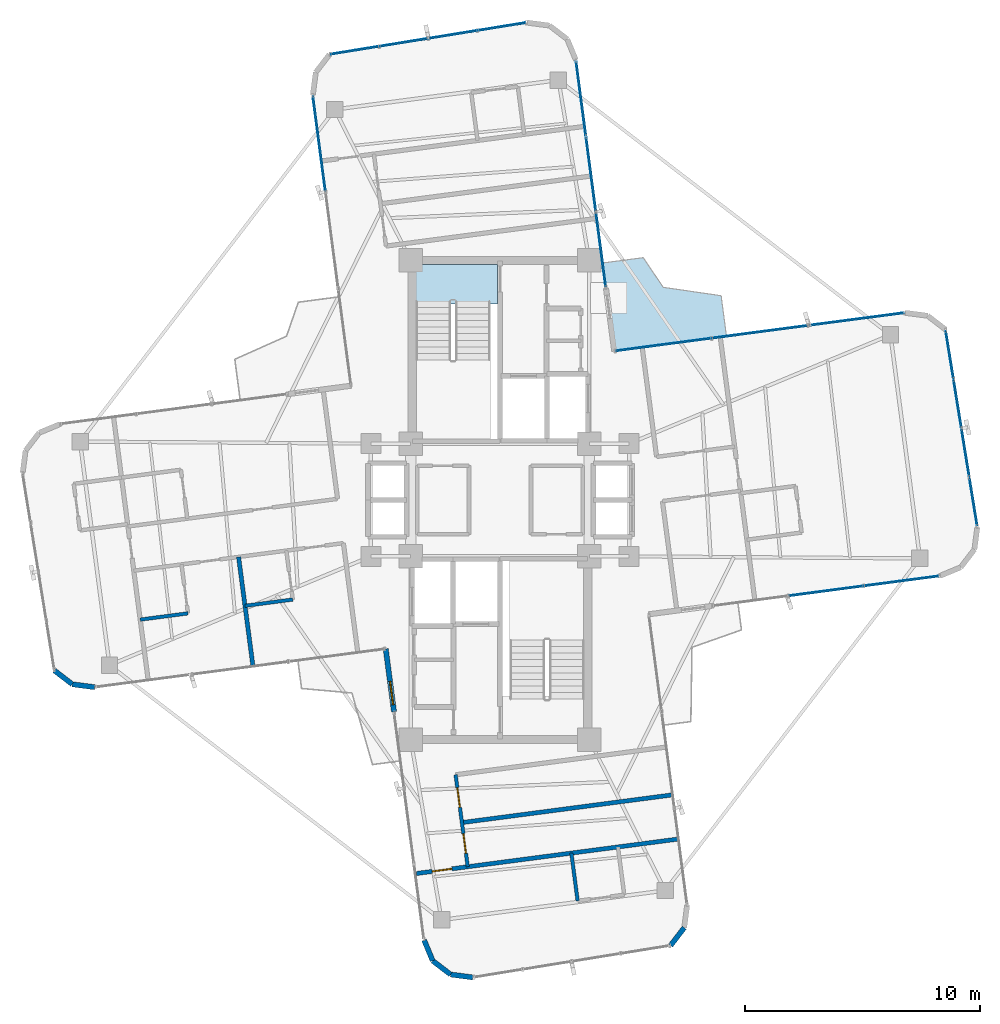
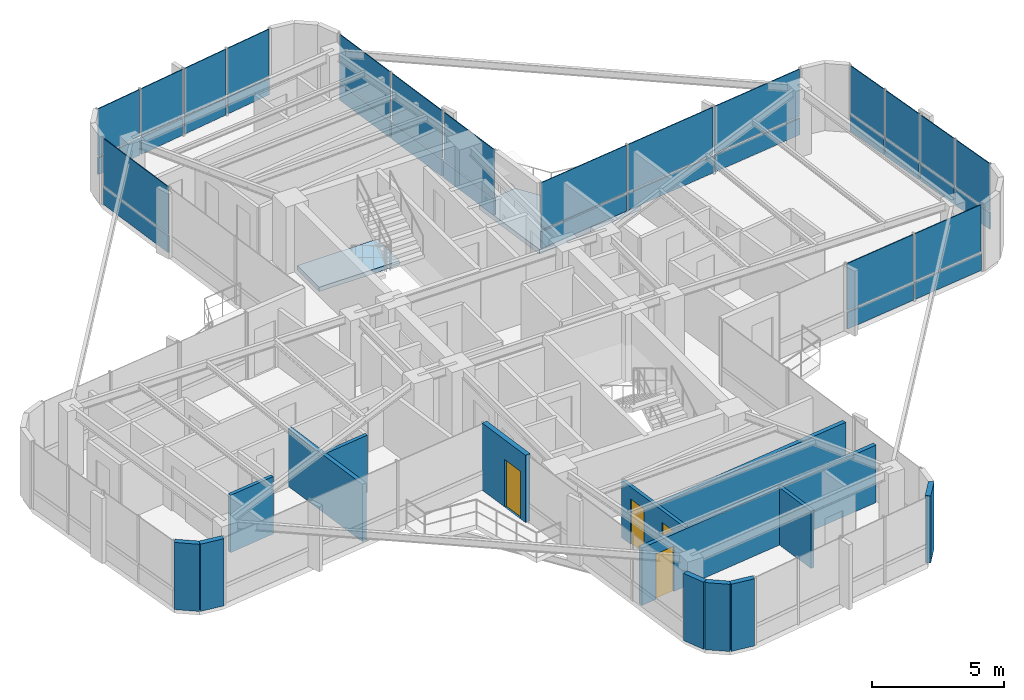
# One storey, part 17 of 21: 34 plates, 14 walls, 4 doors, 2 slabs, 4 openings, 6 elements without a shape of their own.
"""IFC4 building model written with IfcOpenShell, lengths in metres."""

from ifc_helpers import new_model, si_unit, direction, frame, frame_2d, origin, origin_2d, place, context, subcontext, project, spatial, polyline, rectangle, outline, extrude, source, transform, mapped, material, layer, layer_set, type_object, element, fill, aggregate, save


model = new_model("IFC4")

# Units and contexts
model_context = context("Model", 3, precision=1e-05, world=origin(), true_north=direction((0.0, 1.0)))
body_context = subcontext(model_context, "Body", "Model", "MODEL_VIEW")
ifc_project = project(units=[si_unit("LENGTHUNIT", "METRE"), si_unit("AREAUNIT", "SQUARE_METRE"), si_unit("VOLUMEUNIT", "CUBIC_METRE"), si_unit("PLANEANGLEUNIT", "RADIAN"), si_unit("MASSUNIT", "GRAM", prefix="KILO")], contexts=[model_context])

# Site, building, storey
site_placement = place(None, origin())
site = spatial("IfcSite", under=ifc_project, at=site_placement, CompositionType="ELEMENT")
building_placement = place(site_placement, origin())
building = spatial("IfcBuilding", under=site, at=building_placement, Name="Sahyath Konkavel Grand Hotel", CompositionType="ELEMENT")
storey_placement = place(building_placement, frame((0.0, 0.0, 209.85009765625)))
storey = spatial("IfcBuildingStorey", under=building, at=storey_placement, Name="L58", CompositionType="ELEMENT", Elevation=209.85009765625)

# Slabs
ifc_material_1 = material(Name="Concrete C40/50", Category="concrete")
ifc_layer_1 = layer(ifc_material_1, 0.219970703125)
ifc_layer_set_1 = layer_set([ifc_layer_1], Name="Concrete C40/50")
slab_type_1 = type_object("IfcSlabType", Name="SLB-BALCONY-220", PredefinedType="FLOOR", material=ifc_layer_set_1)
slab_1_placement = place(storey_placement, frame((0.0, 0.0, -0.22021484375)))
element("IfcSlab", 1, at=slab_1_placement, inside=storey, type_object=slab_type_1, Name="L58 Winter-Garden Balcony NE", PredefinedType="FLOOR", context=body_context, shape_type="SweptSolid", body=[
    extrude(outline(polyline([(4.8642578125, 6.339111328125), (9.64111328125, 6.968017578125), (9.41357421875, 8.695556640625), (6.947509765625, 9.05419921875), (6.097900390625, 10.316162109375), (4.37060546875, 10.0888671875), (4.8642578125, 6.339111328125)])), origin(), (0.0, 0.0, 1.0), 0.22021484375),
])
ifc_layer_2 = layer(ifc_material_1, 0.199951171875)
ifc_layer_set_2 = layer_set([ifc_layer_2], Name="Concrete C40/50")
slab_type_2 = type_object("IfcSlabType", Name="SLB-STAIR-LND", PredefinedType="LANDING", material=ifc_layer_set_2)
slab_2_placement = place(storey_placement, frame((0.0, 0.0, -0.2001953125)))
element("IfcSlab", 2, at=slab_2_placement, inside=storey, type_object=slab_type_2, Name="L58 Stair ST-1 Floor Landing Slab", PredefinedType="LANDING", context=body_context, shape_type="SweptSolid", body=[
    extrude(outline(polyline([(-3.6201171875, 8.35009765625), (-0.10009765625, 8.35009765625), (-0.10009765625, 10.02001953125), (-3.6201171875, 10.02001953125), (-3.6201171875, 8.35009765625)])), origin(), (0.0, 0.0, 1.0), 0.2001953125),
])

# Curtain wall, plates
ifc_material_2 = material(Name="Anodised Bronze Aluminium & Low-E Glazing", Category="aluminium")
curtain_wall_type = type_object("IfcCurtainWallType", Name="CW-ZONE4", PredefinedType="NOTDEFINED", material=ifc_material_2)
curtain_wall_1_placement = place(storey_placement, origin())
curtain_wall_1 = element("IfcCurtainWall", 3, at=curtain_wall_1_placement, inside=storey, type_object=curtain_wall_type, Name="L58 Unitised Curtain Wall F0", PredefinedType="NOTDEFINED")
ifc_material_3 = material(Name="Warm Buff Sandstone Cladding", Category="masonry")
ifc_layer_3 = layer(ifc_material_3, 0.074951171875)
ifc_layer_set_3 = layer_set([ifc_layer_3], Name="Warm Buff Sandstone Cladding")
plate_type_1 = type_object("IfcPlateType", Name="PNL-SPANDREL-STONE", PredefinedType="SHEET", material=ifc_layer_set_3)
shared_shape_1 = source(origin(), body_context, "Body", "SweptSolid", [
    extrude(rectangle(XDim=3.159912109375, YDim=0.074951171875, at=origin_2d()), origin(), (0.0, 0.0, 1.0), 0.77001953125),
])
plate_1_placement = place(storey_placement, frame((13.8740234375, -3.872314453125, 0.039794921875), z_axis=(0.0, 0.0, 1.0), x_axis=(0.991444861374, 0.13052619222, 0.0)))
plate_1 = element("IfcPlate", 4, at=plate_1_placement, type_object=plate_type_1, Name="L58 Sandstone Relief Spandrel Panel F0-1", PredefinedType="SHEET", context=body_context, shape_type="MappedRepresentation", body=[
    mapped(shared_shape_1, transform((0.0, 0.0, 0.0), scale=1.0)),
])
plate_2_placement = place(storey_placement, frame((17.086181640625, -3.44921875, 0.039794921875), z_axis=(0.0, 0.0, 1.0), x_axis=(0.991444861374, 0.13052619222, 0.0)))
plate_2 = element("IfcPlate", 5, at=plate_2_placement, type_object=plate_type_1, Name="L58 Sandstone Relief Spandrel Panel F0-2", PredefinedType="SHEET", context=body_context, shape_type="MappedRepresentation", body=[
    mapped(shared_shape_1, transform((0.0, 0.0, 0.0), scale=1.0)),
])

curtain_wall_2_placement = place(storey_placement, origin())
curtain_wall_2 = element("IfcCurtainWall", 6, at=curtain_wall_2_placement, inside=storey, type_object=curtain_wall_type, Name="L58 Unitised Curtain Wall F8", PredefinedType="NOTDEFINED")
plate_3_placement = place(storey_placement, frame((4.295166015625, 10.661865234375, 0.039794921875), z_axis=(0.0, 0.0, 1.0), x_axis=(-0.13052619222, 0.991444861374, 0.0)))
plate_3 = element("IfcPlate", 7, at=plate_3_placement, type_object=plate_type_1, Name="L58 Sandstone Relief Spandrel Panel F8-0", PredefinedType="SHEET", context=body_context, shape_type="MappedRepresentation", body=[
    mapped(shared_shape_1, transform((0.0, 0.0, 0.0), scale=1.0)),
])
plate_4_placement = place(storey_placement, frame((3.872314453125, 13.8740234375, 0.039794921875), z_axis=(0.0, 0.0, 1.0), x_axis=(-0.13052619222, 0.991444861374, 0.0)))
plate_4 = element("IfcPlate", 8, at=plate_4_placement, type_object=plate_type_1, Name="L58 Sandstone Relief Spandrel Panel F8-1", PredefinedType="SHEET", context=body_context, shape_type="MappedRepresentation", body=[
    mapped(shared_shape_1, transform((0.0, 0.0, 0.0), scale=1.0)),
])
plate_5_placement = place(storey_placement, frame((3.44921875, 17.086181640625, 0.039794921875), z_axis=(0.0, 0.0, 1.0), x_axis=(-0.13052619222, 0.991444861374, 0.0)))
plate_5 = element("IfcPlate", 9, at=plate_5_placement, type_object=plate_type_1, Name="L58 Sandstone Relief Spandrel Panel F8-2", PredefinedType="SHEET", context=body_context, shape_type="MappedRepresentation", body=[
    mapped(shared_shape_1, transform((0.0, 0.0, 0.0), scale=1.0)),
])

# Plate
ifc_material_4 = material(Name="Low-E Solar Control Double Glazing", Category="glass")
ifc_layer_4 = layer(ifc_material_4, 0.035888671875)
ifc_layer_set_4 = layer_set([ifc_layer_4], Name="Low-E Solar Control Double Glazing")
plate_type_2 = type_object("IfcPlateType", Name="PNL-VISION-LOWE", PredefinedType="CURTAIN_PANEL", material=ifc_layer_set_4)
shared_shape_2 = source(origin(), body_context, "Body", "SweptSolid", [
    extrude(rectangle(XDim=3.159912109375, YDim=0.035888671875, at=origin_2d()), origin(), (0.0, 0.0, 1.0), 2.179931640625),
])
plate_6_placement = place(storey_placement, frame((13.8740234375, -3.872314453125, 0.89013671875), z_axis=(0.0, 0.0, 1.0), x_axis=(0.991444861374, 0.13052619222, 0.0)))
plate_6 = element("IfcPlate", 10, at=plate_6_placement, type_object=plate_type_2, Name="L58 Low-E Vision Glazing Panel F0-1", PredefinedType="CURTAIN_PANEL", context=body_context, shape_type="MappedRepresentation", body=[
    mapped(shared_shape_2, transform((0.0, 0.0, 0.0), scale=1.0)),
])

plate_7_placement = place(storey_placement, frame((17.086181640625, -3.44921875, 0.89013671875), z_axis=(0.0, 0.0, 1.0), x_axis=(0.991444861374, 0.13052619222, 0.0)))
plate_7 = element("IfcPlate", 11, at=plate_7_placement, type_object=plate_type_2, Name="L58 Low-E Vision Glazing Panel F0-2", PredefinedType="CURTAIN_PANEL", context=body_context, shape_type="MappedRepresentation", body=[
    mapped(shared_shape_2, transform((0.0, 0.0, 0.0), scale=1.0)),
])

aggregate(curtain_wall_1, [plate_1, plate_6, plate_2, plate_7])

plate_8_placement = place(storey_placement, frame((4.295166015625, 10.661865234375, 0.89013671875), z_axis=(0.0, 0.0, 1.0), x_axis=(-0.13052619222, 0.991444861374, 0.0)))
plate_8 = element("IfcPlate", 12, at=plate_8_placement, type_object=plate_type_2, Name="L58 Low-E Vision Glazing Panel F8-0", PredefinedType="CURTAIN_PANEL", context=body_context, shape_type="MappedRepresentation", body=[
    mapped(shared_shape_2, transform((0.0, 0.0, 0.0), scale=1.0)),
])

plate_9_placement = place(storey_placement, frame((3.872314453125, 13.8740234375, 0.89013671875), z_axis=(0.0, 0.0, 1.0), x_axis=(-0.13052619222, 0.991444861374, 0.0)))
plate_9 = element("IfcPlate", 13, at=plate_9_placement, type_object=plate_type_2, Name="L58 Low-E Vision Glazing Panel F8-1", PredefinedType="CURTAIN_PANEL", context=body_context, shape_type="MappedRepresentation", body=[
    mapped(shared_shape_2, transform((0.0, 0.0, 0.0), scale=1.0)),
])

plate_10_placement = place(storey_placement, frame((3.44921875, 17.086181640625, 0.89013671875), z_axis=(0.0, 0.0, 1.0), x_axis=(-0.13052619222, 0.991444861374, 0.0)))
plate_10 = element("IfcPlate", 14, at=plate_10_placement, type_object=plate_type_2, Name="L58 Low-E Vision Glazing Panel F8-2", PredefinedType="CURTAIN_PANEL", context=body_context, shape_type="MappedRepresentation", body=[
    mapped(shared_shape_2, transform((0.0, 0.0, 0.0), scale=1.0)),
])

aggregate(curtain_wall_2, [plate_3, plate_8, plate_4, plate_9, plate_5, plate_10])

# Curtain wall, plates
curtain_wall_3_placement = place(storey_placement, origin())
curtain_wall_3 = element("IfcCurtainWall", 15, at=curtain_wall_3_placement, inside=storey, type_object=curtain_wall_type, Name="L58 Unitised Curtain Wall F4", PredefinedType="NOTDEFINED")
shared_shape_3 = source(origin(), body_context, "Body", "SweptSolid", [
    extrude(rectangle(XDim=2.031982421875, YDim=0.074951171875, at=origin_2d()), origin(), (0.0, 0.0, 1.0), 0.77001953125),
])
plate_11_placement = place(storey_placement, frame((20.150390625, -0.074951171875, 0.039794921875), z_axis=(0.0, 0.0, 1.0), x_axis=(-0.159295381124, 0.98723096667, 0.0)))
plate_11 = element("IfcPlate", 16, at=plate_11_placement, type_object=plate_type_1, Name="L58 Sandstone Relief Spandrel Panel F4-0", PredefinedType="SHEET", context=body_context, shape_type="MappedRepresentation", body=[
    mapped(shared_shape_3, transform((0.0, 0.0, 0.0), scale=1.0)),
])
plate_12_placement = place(storey_placement, frame((19.81396484375, 2.01025390625, 0.039794921875), z_axis=(0.0, 0.0, 1.0), x_axis=(-0.159295381124, 0.98723096667, 0.0)))
plate_12 = element("IfcPlate", 17, at=plate_12_placement, type_object=plate_type_1, Name="L58 Sandstone Relief Spandrel Panel F4-1", PredefinedType="SHEET", context=body_context, shape_type="MappedRepresentation", body=[
    mapped(shared_shape_3, transform((0.0, 0.0, 0.0), scale=1.0)),
])
plate_13_placement = place(storey_placement, frame((19.477294921875, 4.095458984375, 0.039794921875), z_axis=(0.0, 0.0, 1.0), x_axis=(-0.159295381124, 0.98723096667, 0.0)))
plate_13 = element("IfcPlate", 18, at=plate_13_placement, type_object=plate_type_1, Name="L58 Sandstone Relief Spandrel Panel F4-2", PredefinedType="SHEET", context=body_context, shape_type="MappedRepresentation", body=[
    mapped(shared_shape_3, transform((0.0, 0.0, 0.0), scale=1.0)),
])
plate_14_placement = place(storey_placement, frame((19.14111328125, 6.1806640625, 0.039794921875), z_axis=(0.0, 0.0, 1.0), x_axis=(-0.159295381124, 0.98723096667, 0.0)))
plate_14 = element("IfcPlate", 19, at=plate_14_placement, type_object=plate_type_1, Name="L58 Sandstone Relief Spandrel Panel F4-3", PredefinedType="SHEET", context=body_context, shape_type="MappedRepresentation", body=[
    mapped(shared_shape_3, transform((0.0, 0.0, 0.0), scale=1.0)),
])

curtain_wall_4_placement = place(storey_placement, origin())
curtain_wall_4 = element("IfcCurtainWall", 20, at=curtain_wall_4_placement, inside=storey, type_object=curtain_wall_type, Name="L58 Unitised Curtain Wall F12", PredefinedType="NOTDEFINED")
plate_15_placement = place(storey_placement, frame((0.074951171875, 20.150390625, 0.039794921875), z_axis=(0.0, 0.0, 1.0), x_axis=(-0.98723096667, -0.159295381124, 0.0)))
plate_15 = element("IfcPlate", 21, at=plate_15_placement, type_object=plate_type_1, Name="L58 Sandstone Relief Spandrel Panel F12-0", PredefinedType="SHEET", context=body_context, shape_type="MappedRepresentation", body=[
    mapped(shared_shape_3, transform((0.0, 0.0, 0.0), scale=1.0)),
])
plate_16_placement = place(storey_placement, frame((-2.01025390625, 19.81396484375, 0.039794921875), z_axis=(0.0, 0.0, 1.0), x_axis=(-0.98723096667, -0.159295381124, 0.0)))
plate_16 = element("IfcPlate", 22, at=plate_16_placement, type_object=plate_type_1, Name="L58 Sandstone Relief Spandrel Panel F12-1", PredefinedType="SHEET", context=body_context, shape_type="MappedRepresentation", body=[
    mapped(shared_shape_3, transform((0.0, 0.0, 0.0), scale=1.0)),
])
plate_17_placement = place(storey_placement, frame((-4.095458984375, 19.477294921875, 0.039794921875), z_axis=(0.0, 0.0, 1.0), x_axis=(-0.98723096667, -0.159295381124, 0.0)))
plate_17 = element("IfcPlate", 23, at=plate_17_placement, type_object=plate_type_1, Name="L58 Sandstone Relief Spandrel Panel F12-2", PredefinedType="SHEET", context=body_context, shape_type="MappedRepresentation", body=[
    mapped(shared_shape_3, transform((0.0, 0.0, 0.0), scale=1.0)),
])
plate_18_placement = place(storey_placement, frame((-6.1806640625, 19.14111328125, 0.039794921875), z_axis=(0.0, 0.0, 1.0), x_axis=(-0.98723096667, -0.159295381124, 0.0)))
plate_18 = element("IfcPlate", 24, at=plate_18_placement, type_object=plate_type_1, Name="L58 Sandstone Relief Spandrel Panel F12-3", PredefinedType="SHEET", context=body_context, shape_type="MappedRepresentation", body=[
    mapped(shared_shape_3, transform((0.0, 0.0, 0.0), scale=1.0)),
])

# Plate
shared_shape_4 = source(origin(), body_context, "Body", "SweptSolid", [
    extrude(rectangle(XDim=2.031982421875, YDim=0.035888671875, at=origin_2d()), origin(), (0.0, 0.0, 1.0), 2.179931640625),
])
plate_19_placement = place(storey_placement, frame((20.150390625, -0.074951171875, 0.89013671875), z_axis=(0.0, 0.0, 1.0), x_axis=(-0.159295381124, 0.98723096667, 0.0)))
plate_19 = element("IfcPlate", 25, at=plate_19_placement, type_object=plate_type_2, Name="L58 Low-E Vision Glazing Panel F4-0", PredefinedType="CURTAIN_PANEL", context=body_context, shape_type="MappedRepresentation", body=[
    mapped(shared_shape_4, transform((0.0, 0.0, 0.0), scale=1.0)),
])

plate_20_placement = place(storey_placement, frame((19.81396484375, 2.01025390625, 0.89013671875), z_axis=(0.0, 0.0, 1.0), x_axis=(-0.159295381124, 0.98723096667, 0.0)))
plate_20 = element("IfcPlate", 26, at=plate_20_placement, type_object=plate_type_2, Name="L58 Low-E Vision Glazing Panel F4-1", PredefinedType="CURTAIN_PANEL", context=body_context, shape_type="MappedRepresentation", body=[
    mapped(shared_shape_4, transform((0.0, 0.0, 0.0), scale=1.0)),
])

plate_21_placement = place(storey_placement, frame((19.477294921875, 4.095458984375, 0.89013671875), z_axis=(0.0, 0.0, 1.0), x_axis=(-0.159295381124, 0.98723096667, 0.0)))
plate_21 = element("IfcPlate", 27, at=plate_21_placement, type_object=plate_type_2, Name="L58 Low-E Vision Glazing Panel F4-2", PredefinedType="CURTAIN_PANEL", context=body_context, shape_type="MappedRepresentation", body=[
    mapped(shared_shape_4, transform((0.0, 0.0, 0.0), scale=1.0)),
])

plate_22_placement = place(storey_placement, frame((19.14111328125, 6.1806640625, 0.89013671875), z_axis=(0.0, 0.0, 1.0), x_axis=(-0.159295381124, 0.98723096667, 0.0)))
plate_22 = element("IfcPlate", 28, at=plate_22_placement, type_object=plate_type_2, Name="L58 Low-E Vision Glazing Panel F4-3", PredefinedType="CURTAIN_PANEL", context=body_context, shape_type="MappedRepresentation", body=[
    mapped(shared_shape_4, transform((0.0, 0.0, 0.0), scale=1.0)),
])

aggregate(curtain_wall_3, [plate_11, plate_19, plate_12, plate_20, plate_13, plate_21, plate_14, plate_22])

plate_23_placement = place(storey_placement, frame((0.074951171875, 20.150390625, 0.89013671875), z_axis=(0.0, 0.0, 1.0), x_axis=(-0.98723096667, -0.159295381124, 0.0)))
plate_23 = element("IfcPlate", 29, at=plate_23_placement, type_object=plate_type_2, Name="L58 Low-E Vision Glazing Panel F12-0", PredefinedType="CURTAIN_PANEL", context=body_context, shape_type="MappedRepresentation", body=[
    mapped(shared_shape_4, transform((0.0, 0.0, 0.0), scale=1.0)),
])

plate_24_placement = place(storey_placement, frame((-2.01025390625, 19.81396484375, 0.89013671875), z_axis=(0.0, 0.0, 1.0), x_axis=(-0.98723096667, -0.159295381124, 0.0)))
plate_24 = element("IfcPlate", 30, at=plate_24_placement, type_object=plate_type_2, Name="L58 Low-E Vision Glazing Panel F12-1", PredefinedType="CURTAIN_PANEL", context=body_context, shape_type="MappedRepresentation", body=[
    mapped(shared_shape_4, transform((0.0, 0.0, 0.0), scale=1.0)),
])

plate_25_placement = place(storey_placement, frame((-4.095458984375, 19.477294921875, 0.89013671875), z_axis=(0.0, 0.0, 1.0), x_axis=(-0.98723096667, -0.159295381124, 0.0)))
plate_25 = element("IfcPlate", 31, at=plate_25_placement, type_object=plate_type_2, Name="L58 Low-E Vision Glazing Panel F12-2", PredefinedType="CURTAIN_PANEL", context=body_context, shape_type="MappedRepresentation", body=[
    mapped(shared_shape_4, transform((0.0, 0.0, 0.0), scale=1.0)),
])

plate_26_placement = place(storey_placement, frame((-6.1806640625, 19.14111328125, 0.89013671875), z_axis=(0.0, 0.0, 1.0), x_axis=(-0.98723096667, -0.159295381124, 0.0)))
plate_26 = element("IfcPlate", 32, at=plate_26_placement, type_object=plate_type_2, Name="L58 Low-E Vision Glazing Panel F12-3", PredefinedType="CURTAIN_PANEL", context=body_context, shape_type="MappedRepresentation", body=[
    mapped(shared_shape_4, transform((0.0, 0.0, 0.0), scale=1.0)),
])

aggregate(curtain_wall_4, [plate_15, plate_23, plate_16, plate_24, plate_17, plate_25, plate_18, plate_26])

# Curtain wall, plates
curtain_wall_5_placement = place(storey_placement, origin())
curtain_wall_5 = element("IfcCurtainWall", 33, at=curtain_wall_5_placement, inside=storey, type_object=curtain_wall_type, Name="L58 Unitised Curtain Wall F7", PredefinedType="NOTDEFINED")
shared_shape_5 = source(origin(), body_context, "Body", "SweptSolid", [
    extrude(rectangle(XDim=4.06005859375, YDim=0.074951171875, at=origin_2d()), origin(), (0.0, 0.0, 1.0), 0.77001953125),
])
plate_27_placement = place(storey_placement, frame((15.165283203125, 7.6953125, 0.039794921875), z_axis=(0.0, 0.0, 1.0), x_axis=(-0.991444861374, -0.13052619222, 0.0)))
plate_27 = element("IfcPlate", 34, at=plate_27_placement, type_object=plate_type_1, Name="L58 Sandstone Relief Spandrel Panel F7-0", PredefinedType="SHEET", context=body_context, shape_type="MappedRepresentation", body=[
    mapped(shared_shape_5, transform((0.0, 0.0, 0.0), scale=1.0)),
])
plate_28_placement = place(storey_placement, frame((11.060791015625, 7.15478515625, 0.039794921875), z_axis=(0.0, 0.0, 1.0), x_axis=(-0.991444861374, -0.13052619222, 0.0)))
plate_28 = element("IfcPlate", 35, at=plate_28_placement, type_object=plate_type_1, Name="L58 Sandstone Relief Spandrel Panel F7-1", PredefinedType="SHEET", context=body_context, shape_type="MappedRepresentation", body=[
    mapped(shared_shape_5, transform((0.0, 0.0, 0.0), scale=1.0)),
])
plate_29_placement = place(storey_placement, frame((6.956298828125, 6.614501953125, 0.039794921875), z_axis=(0.0, 0.0, 1.0), x_axis=(-0.991444861374, -0.13052619222, 0.0)))
plate_29 = element("IfcPlate", 36, at=plate_29_placement, type_object=plate_type_1, Name="L58 Sandstone Relief Spandrel Panel F7-2", PredefinedType="SHEET", context=body_context, shape_type="MappedRepresentation", body=[
    mapped(shared_shape_5, transform((0.0, 0.0, 0.0), scale=1.0)),
])

# Curtain wall, plate
curtain_wall_6_placement = place(storey_placement, origin())
curtain_wall_6 = element("IfcCurtainWall", 37, at=curtain_wall_6_placement, inside=storey, type_object=curtain_wall_type, Name="L58 Unitised Curtain Wall F15", PredefinedType="NOTDEFINED")
plate_30_placement = place(storey_placement, frame((-7.6953125, 15.165283203125, 0.039794921875), z_axis=(0.0, 0.0, 1.0), x_axis=(0.13052619222, -0.991444861374, 0.0)))
plate_30 = element("IfcPlate", 38, at=plate_30_placement, type_object=plate_type_1, Name="L58 Sandstone Relief Spandrel Panel F15-0", PredefinedType="SHEET", context=body_context, shape_type="MappedRepresentation", body=[
    mapped(shared_shape_5, transform((0.0, 0.0, 0.0), scale=1.0)),
])

# Plate
shared_shape_6 = source(origin(), body_context, "Body", "SweptSolid", [
    extrude(rectangle(XDim=4.06005859375, YDim=0.035888671875, at=origin_2d()), origin(), (0.0, 0.0, 1.0), 2.179931640625),
])
plate_31_placement = place(storey_placement, frame((15.165283203125, 7.6953125, 0.89013671875), z_axis=(0.0, 0.0, 1.0), x_axis=(-0.991444861374, -0.13052619222, 0.0)))
plate_31 = element("IfcPlate", 39, at=plate_31_placement, type_object=plate_type_2, Name="L58 Low-E Vision Glazing Panel F7-0", PredefinedType="CURTAIN_PANEL", context=body_context, shape_type="MappedRepresentation", body=[
    mapped(shared_shape_6, transform((0.0, 0.0, 0.0), scale=1.0)),
])

plate_32_placement = place(storey_placement, frame((11.060791015625, 7.15478515625, 0.89013671875), z_axis=(0.0, 0.0, 1.0), x_axis=(-0.991444861374, -0.13052619222, 0.0)))
plate_32 = element("IfcPlate", 40, at=plate_32_placement, type_object=plate_type_2, Name="L58 Low-E Vision Glazing Panel F7-1", PredefinedType="CURTAIN_PANEL", context=body_context, shape_type="MappedRepresentation", body=[
    mapped(shared_shape_6, transform((0.0, 0.0, 0.0), scale=1.0)),
])

plate_33_placement = place(storey_placement, frame((6.956298828125, 6.614501953125, 0.89013671875), z_axis=(0.0, 0.0, 1.0), x_axis=(-0.991444861374, -0.13052619222, 0.0)))
plate_33 = element("IfcPlate", 41, at=plate_33_placement, type_object=plate_type_2, Name="L58 Low-E Vision Glazing Panel F7-2", PredefinedType="CURTAIN_PANEL", context=body_context, shape_type="MappedRepresentation", body=[
    mapped(shared_shape_6, transform((0.0, 0.0, 0.0), scale=1.0)),
])

aggregate(curtain_wall_5, [plate_27, plate_31, plate_28, plate_32, plate_29, plate_33])

plate_34_placement = place(storey_placement, frame((-7.6953125, 15.165283203125, 0.89013671875), z_axis=(0.0, 0.0, 1.0), x_axis=(0.13052619222, -0.991444861374, 0.0)))
plate_34 = element("IfcPlate", 42, at=plate_34_placement, type_object=plate_type_2, Name="L58 Low-E Vision Glazing Panel F15-0", PredefinedType="CURTAIN_PANEL", context=body_context, shape_type="MappedRepresentation", body=[
    mapped(shared_shape_6, transform((0.0, 0.0, 0.0), scale=1.0)),
])

aggregate(curtain_wall_6, [plate_30, plate_34])

# Walls
ifc_material_5 = material(Name="Warm Buff Sandstone Insulated Concrete C40/50", Category="masonry")
ifc_layer_5 = layer(ifc_material_5, 0.219970703125)
ifc_layer_set_5 = layer_set([ifc_layer_5], Name="Warm Buff Sandstone Insulated Concrete C40/50")
wall_type_1 = type_object("IfcWallType", Name="WLL-BALC-THRESH", PredefinedType="STANDARD", material=ifc_layer_set_5)
wall_1_placement = place(storey_placement, frame((-18.96630859375, -7.2626953125, 0.0), z_axis=(0.0, 0.0, 1.0), x_axis=(0.793249178392, -0.608897151398, 0.0)))
element("IfcWall", 43, at=wall_1_placement, inside=storey, type_object=wall_type_1, Name="L58 Rounded Corner Sandstone Pier 21", PredefinedType="STANDARD", context=body_context, shape_type="SweptSolid", body=[
    extrude(rectangle(XDim=0.95751953125, YDim=0.219970703125, at=frame_2d((0.478759765625, 0.0))), origin(), (0.0, 0.0, 1.0), 3.10986328125),
])
wall_2_placement = place(storey_placement, frame((-18.206787109375, -7.845703125, 0.0), z_axis=(0.0, 0.0, 1.0), x_axis=(0.991444747987, -0.130527053476, 0.0)))
element("IfcWall", 44, at=wall_2_placement, inside=storey, type_object=wall_type_1, Name="L58 Rounded Corner Sandstone Pier 22", PredefinedType="STANDARD", context=body_context, shape_type="SweptSolid", body=[
    extrude(rectangle(XDim=0.957763671875, YDim=0.219970703125, at=frame_2d((0.47900390625, 0.0))), origin(), (0.0, 0.0, 1.0), 3.10986328125),
])

# Wall, opening, door
wall_3_placement = place(storey_placement, frame((-4.8642578125, -6.339111328125, 0.0), z_axis=(0.0, 0.0, 1.0), x_axis=(0.130564442062, -0.991439824936, 0.0)))
wall_3 = element("IfcWall", 45, at=wall_3_placement, inside=storey, type_object=wall_type_1, Name="L58 Winter-Garden Threshold Wall 24", PredefinedType="STANDARD", context=body_context, shape_type="SweptSolid", body=[
    extrude(rectangle(XDim=2.7001953125, YDim=0.219970703125, at=frame_2d((1.35009765625, 0.0))), origin(), (0.0, 0.0, 1.0), 3.10986328125),
])
opening_1_placement = place(wall_3_placement, frame((1.39990234375, 0.0, 0.0)))
opening_1 = element("IfcOpeningElement", 46, at=opening_1_placement, cuts=wall_3, Name="Opening D-TR1", PredefinedType="OPENING", context=body_context, shape_type="SweptSolid", body=[
    extrude(rectangle(XDim=1.0, YDim=2.199951171875, at=frame_2d((0.5, 1.10009765625))), frame((0.0, 0.1201171875, 0.0), z_axis=(0.0, -1.0, 0.0), x_axis=(1.0, 0.0, 0.0)), (0.0, 0.0, 1.0), 0.239990234375),
])
door_type_1 = type_object("IfcDoorType", Name="DR-TERRACE-1000", OperationType="NOTDEFINED", PredefinedType="DOOR", material=ifc_material_2)
shared_shape_7 = source(origin(), body_context, "Body", "SweptSolid", [
    extrude(rectangle(XDim=1.0, YDim=0.050048828125, at=origin_2d()), origin(), (0.0, 0.0, 1.0), 2.199951171875),
])
door_1_placement = place(opening_1_placement, frame((0.5, 0.0, 0.0)))
door_1 = element("IfcDoor", 47, at=door_1_placement, inside=storey, type_object=door_type_1, Name="L58 Winter-Garden Terrace Door 24", OperationType="SINGLE_SWING_LEFT", OverallHeight=2.199951171875, OverallWidth=1.0, PredefinedType="DOOR", context=body_context, shape_type="MappedRepresentation", body=[
    mapped(shared_shape_7, transform((0.0, 0.0, 0.0), scale=1.0)),
])
fill(opening_1, door_1)

# Walls
for number, where, z_axis, x_axis, name in (
    (48, (-3.232666015625, -18.732177734375, 0.0), (0.0, 0.0, 1.0), (0.382659506909, -0.923889442397, 0.0), "L58 Rounded Corner Sandstone Pier 25"),
    (49, (-2.8662109375, -19.616943359375, 0.0), (0.0, 0.0, 1.0), (0.793343685778, -0.608774010809, 0.0), "L58 Rounded Corner Sandstone Pier 26"),
    (50, (-2.1064453125, -20.199951171875, 0.0), (0.0, 0.0, 1.0), (0.991444747987, -0.130527053476, 0.0), "L58 Rounded Corner Sandstone Pier 27"),
):
    element("IfcWall", number, at=place(storey_placement, frame(where, z_axis=z_axis, x_axis=x_axis)), inside=storey, type_object=wall_type_1, Name=name, PredefinedType="STANDARD", context=body_context, shape_type="SweptSolid", body=[
        extrude(rectangle(XDim=0.957763671875, YDim=0.219970703125, at=frame_2d((0.47900390625, 0.0))), origin(), (0.0, 0.0, 1.0), 3.10986328125),
    ])
wall_4_placement = place(storey_placement, frame((7.2626953125, -18.96630859375, 0.0), z_axis=(0.0, 0.0, 1.0), x_axis=(0.608897151398, 0.793249178392, 0.0)))
element("IfcWall", 51, at=wall_4_placement, inside=storey, type_object=wall_type_1, Name="L58 Rounded Corner Sandstone Pier 29", PredefinedType="STANDARD", context=body_context, shape_type="SweptSolid", body=[
    extrude(rectangle(XDim=0.95751953125, YDim=0.219970703125, at=frame_2d((0.478759765625, 0.0))), origin(), (0.0, 0.0, 1.0), 3.10986328125),
])
ifc_material_6 = material(Name="Twin-Stud Acoustic Gypsum Plasterboard Partition")
ifc_layer_6 = layer(ifc_material_6, 0.179931640625)
ifc_layer_set_6 = layer_set([ifc_layer_6], Name="Twin-Stud Acoustic Gypsum Plasterboard Partition")
wall_type_2 = type_object("IfcWallType", Name="WLL-DEMISE-180", PredefinedType="PARTITIONING", material=ifc_layer_set_6)
wall_5_placement = place(storey_placement, frame((-11.12890625, -2.42333984375, 0.0), z_axis=(0.0, 0.0, 1.0), x_axis=(0.13051970184, -0.991445715827, 0.0)))
element("IfcWall", 52, at=wall_5_placement, inside=storey, type_object=wall_type_2, Name="L58 Partition W-W4L1-DEM", PredefinedType="PARTITIONING", context=body_context, shape_type="SweptSolid", body=[
    extrude(rectangle(XDim=4.650146484375, YDim=0.179931640625, at=frame_2d((2.3251953125, 0.0))), origin(), (0.0, 0.0, 1.0), 2.659912109375),
])
wall_6_placement = place(storey_placement, frame((-1.621337890625, -13.733154296875, 0.0), z_axis=(0.0, 0.0, 1.0), x_axis=(0.991444043898, 0.130532401413, 0.0)))
element("IfcWall", 53, at=wall_6_placement, inside=storey, type_object=wall_type_2, Name="L58 Partition S-SSL6-DEM", PredefinedType="PARTITIONING", context=body_context, shape_type="SweptSolid", body=[
    extrude(rectangle(XDim=9.0, YDim=0.179931640625, at=frame_2d((4.5, 0.0))), origin(), (0.0, 0.0, 1.0), 2.659912109375),
])

# Wall, opening, door
wall_7_placement = place(storey_placement, frame((-3.554931640625, -15.900146484375, 0.0), z_axis=(0.0, 0.0, 1.0), x_axis=(0.991444350479, 0.130530072791, 0.0)))
wall_7 = element("IfcWall", 54, at=wall_7_placement, inside=storey, type_object=wall_type_2, Name="L58 Partition S-STIP-END", PredefinedType="PARTITIONING", context=body_context, shape_type="SweptSolid", body=[
    extrude(rectangle(XDim=11.19970703125, YDim=0.179931640625, at=frame_2d((5.599853515625, 0.0))), origin(), (0.0, 0.0, 1.0), 2.659912109375),
])
opening_2_placement = place(wall_7_placement, frame((0.675048828125, 0.0, 0.0)))
opening_2 = element("IfcOpeningElement", 55, at=opening_2_placement, cuts=wall_7, Name="Opening D-F06D", PredefinedType="OPENING", context=body_context, shape_type="SweptSolid", body=[
    extrude(rectangle(XDim=0.85009765625, YDim=2.10009765625, at=frame_2d((0.425048828125, 1.050048828125))), frame((0.0, 0.10009765625, 0.0), z_axis=(0.0, -1.0, 0.0), x_axis=(1.0, 0.0, 0.0)), (0.0, 0.0, 1.0), 0.199951171875),
])
ifc_material_7 = material(Name="Fire-Rated Shaft Access Door")
door_type_2 = type_object("IfcDoorType", Name="DR-FD60-850", OperationType="NOTDEFINED", PredefinedType="DOOR", material=ifc_material_7)
shared_shape_8 = source(origin(), body_context, "Body", "SweptSolid", [
    extrude(rectangle(XDim=0.85009765625, YDim=0.050048828125, at=origin_2d()), origin(), (0.0, 0.0, 1.0), 2.10009765625),
])
door_2_placement = place(opening_2_placement, frame((0.425048828125, 0.0, 0.0)))
door_2 = element("IfcDoor", 56, at=door_2_placement, inside=storey, type_object=door_type_2, Name="L58 Door S-STIP-ED", OperationType="SINGLE_SWING_LEFT", OverallHeight=2.10009765625, OverallWidth=0.85009765625, PredefinedType="DOOR", context=body_context, shape_type="MappedRepresentation", body=[
    mapped(shared_shape_8, transform((0.0, 0.0, 0.0), scale=1.0)),
])
fill(opening_2, door_2)

# Walls
ifc_material_8 = material(Name="Fire-Rated Gypsum Plasterboard Partition")
ifc_layer_7 = layer(ifc_material_8, 0.14990234375)
ifc_layer_set_7 = layer_set([ifc_layer_7], Name="Fire-Rated Gypsum Plasterboard Partition")
wall_type_3 = type_object("IfcWallType", Name="WLL-PART-150", PredefinedType="PARTITIONING", material=ifc_layer_set_7)
wall_8_placement = place(storey_placement, frame((-8.822265625, -4.23779296875, 0.0), z_axis=(0.0, 0.0, 1.0), x_axis=(-0.991444969909, -0.13052536781, 0.0)))
element("IfcWall", 57, at=wall_8_placement, inside=storey, type_object=wall_type_3, Name="L58 Partition W-W4L1-BF", PredefinedType="PARTITIONING", context=body_context, shape_type="SweptSolid", body=[
    extrude(rectangle(XDim=2.050048828125, YDim=0.14990234375, at=frame_2d((1.02490234375, 0.0))), origin(), (0.0, 0.0, 1.0), 2.659912109375),
])
wall_9_placement = place(storey_placement, frame((-13.28369140625, -4.8251953125, 0.0), z_axis=(0.0, 0.0, 1.0), x_axis=(-0.991446998513, -0.130509958008, 0.0)))
element("IfcWall", 58, at=wall_9_placement, inside=storey, type_object=wall_type_3, Name="L58 Partition W-W4L2-BF", PredefinedType="PARTITIONING", context=body_context, shape_type="SweptSolid", body=[
    extrude(rectangle(XDim=2.05029296875, YDim=0.14990234375, at=frame_2d((1.025146484375, 0.0))), origin(), (0.0, 0.0, 1.0), 2.659912109375),
])

# Wall, openings, doors
wall_10_placement = place(storey_placement, frame((-1.889404296875, -11.69677734375, 0.0), z_axis=(0.0, 0.0, 1.0), x_axis=(0.130544051196, -0.991442510031, 0.0)))
wall_10 = element("IfcWall", 59, at=wall_10_placement, inside=storey, type_object=wall_type_3, Name="L58 Partition S-G6W", PredefinedType="PARTITIONING", context=body_context, shape_type="SweptSolid", body=[
    extrude(rectangle(XDim=3.94970703125, YDim=0.14990234375, at=frame_2d((1.974853515625, 0.0))), origin(), (0.0, 0.0, 1.0), 2.659912109375),
])
opening_3_placement = place(wall_10_placement, frame((0.552001953125, 0.0, 0.0)))
opening_3 = element("IfcOpeningElement", 60, at=opening_3_placement, cuts=wall_10, Name="Opening D-F06D", PredefinedType="OPENING", context=body_context, shape_type="SweptSolid", body=[
    extrude(rectangle(XDim=0.85009765625, YDim=2.10009765625, at=frame_2d((0.425048828125, 1.050048828125))), frame((0.0, 0.0849609375, 0.0), z_axis=(0.0, -1.0, 0.0), x_axis=(1.0, 0.0, 0.0)), (0.0, 0.0, 1.0), 0.169921875),
])
opening_4_placement = place(wall_10_placement, frame((2.527099609375, 0.0, 0.0)))
opening_4 = element("IfcOpeningElement", 61, at=opening_4_placement, cuts=wall_10, Name="Opening D-F06D", PredefinedType="OPENING", context=body_context, shape_type="SweptSolid", body=[
    extrude(rectangle(XDim=0.85009765625, YDim=2.10009765625, at=frame_2d((0.425048828125, 1.050048828125))), frame((0.0, 0.0849609375, 0.0), z_axis=(0.0, -1.0, 0.0), x_axis=(1.0, 0.0, 0.0)), (0.0, 0.0, 1.0), 0.169921875),
])
door_3_placement = place(opening_3_placement, frame((0.425048828125, 0.0, 0.0)))
door_3 = element("IfcDoor", 62, at=door_3_placement, inside=storey, type_object=door_type_2, Name="L58 Door S-SSL6-D", OperationType="SINGLE_SWING_RIGHT", OverallHeight=2.10009765625, OverallWidth=0.85009765625, PredefinedType="DOOR", context=body_context, shape_type="MappedRepresentation", body=[
    mapped(shared_shape_8, transform((0.0, 0.0, 0.0), scale=1.0)),
])
fill(opening_3, door_3)
door_4_placement = place(opening_4_placement, frame((0.425048828125, 0.0, 0.0)))
door_4 = element("IfcDoor", 63, at=door_4_placement, inside=storey, type_object=door_type_2, Name="L58 Door S-SD6-D", OperationType="SINGLE_SWING_LEFT", OverallHeight=2.10009765625, OverallWidth=0.85009765625, PredefinedType="DOOR", context=body_context, shape_type="MappedRepresentation", body=[
    mapped(shared_shape_8, transform((0.0, 0.0, 0.0), scale=1.0)),
])
fill(opening_4, door_4)

# Wall
wall_11_placement = place(storey_placement, frame((3.0380859375, -15.031982421875, 0.0), z_axis=(0.0, 0.0, 1.0), x_axis=(0.13052536781, -0.991444969909, 0.0)))
element("IfcWall", 64, at=wall_11_placement, inside=storey, type_object=wall_type_3, Name="L58 Partition S-STIP-BS", PredefinedType="PARTITIONING", context=body_context, shape_type="SweptSolid", body=[
    extrude(rectangle(XDim=2.050048828125, YDim=0.14990234375, at=frame_2d((1.02490234375, 0.0))), origin(), (0.0, 0.0, 1.0), 2.659912109375),
])

save(model, "model.ifc")
